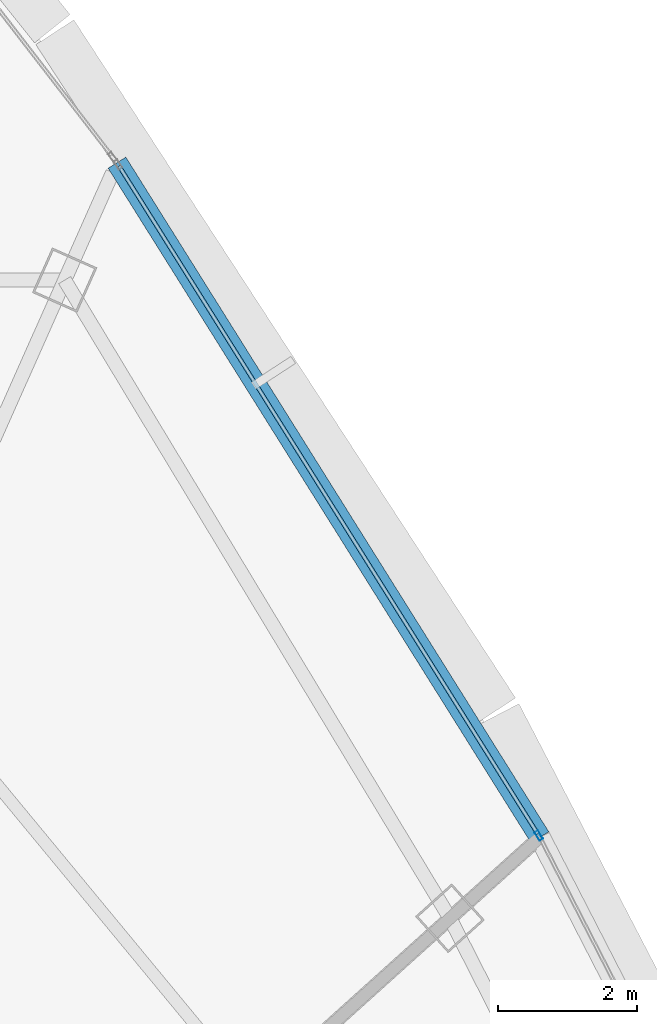
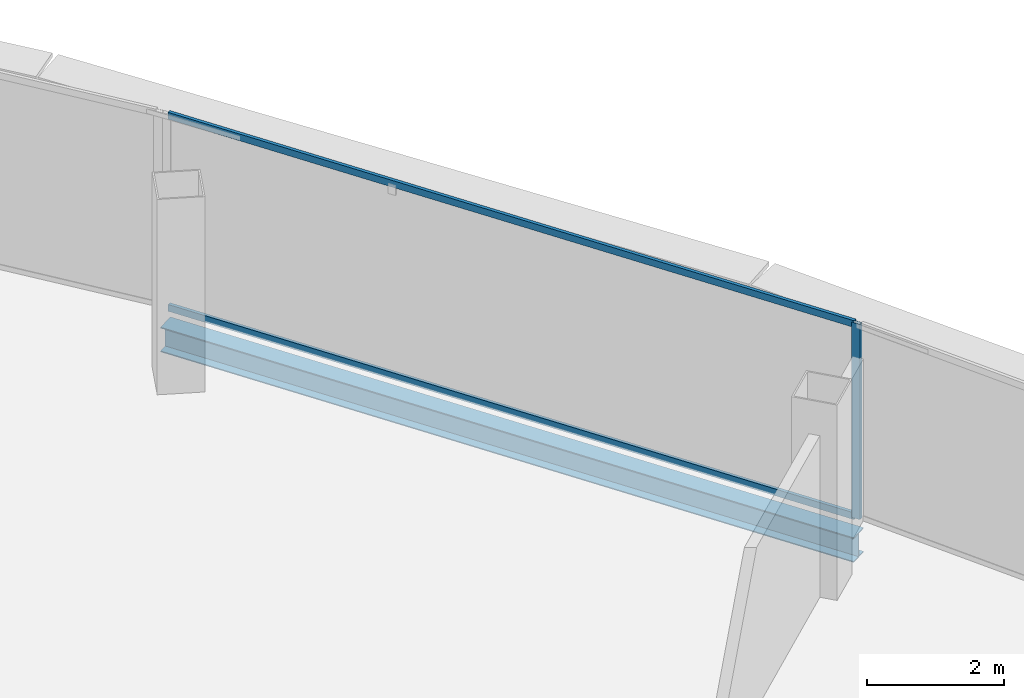
# One storey, part 14 of 29: 3 members, 1 beam, 1 element without a shape of its own.
"""IFC4 building model written with IfcOpenShell, lengths in metres."""

from ifc_helpers import new_model, si_unit, direction, frame, origin, origin_2d, place, context, subcontext, project, spatial, hollow_rectangle, i_section, extrude, source, transform, mapped, material, layer, layer_set, material_profile, profile_set, type_object, element, aggregate, save


model = new_model("IFC4")

# Units and contexts
model_context = context("Model", 3, precision=1e-05, world=origin(), true_north=direction((0.0, 1.0)))
body_context = subcontext(model_context, "Body", "Model", "MODEL_VIEW")
ifc_project = project(units=[si_unit("LENGTHUNIT", "METRE"), si_unit("AREAUNIT", "SQUARE_METRE"), si_unit("VOLUMEUNIT", "CUBIC_METRE"), si_unit("PLANEANGLEUNIT", "RADIAN"), si_unit("MASSUNIT", "GRAM", prefix="KILO"), si_unit("THERMODYNAMICTEMPERATUREUNIT", "KELVIN"), si_unit("POWERUNIT", "WATT")], contexts=[model_context])

# Site, building, storey
site_placement = place(None, origin())
site = spatial("IfcSite", under=ifc_project, at=site_placement, CompositionType="ELEMENT")
building_placement = place(site_placement, origin())
building = spatial("IfcBuilding", under=site, at=building_placement, Name="Yunzhuo Pagoda Commons", CompositionType="ELEMENT")
storey_placement = place(building_placement, frame((0.0, 0.0, 363.010009765625)))
storey = spatial("IfcBuildingStorey", under=building, at=storey_placement, Name="L91", CompositionType="ELEMENT", Elevation=363.010009765625)

# Beam
ifc_material_1 = material(Name="Structural steel Q355B", Category="steel")
ifc_material_profile_1 = material_profile(ifc_material_1, i_section(OverallWidth=0.300048828125, OverallDepth=0.43994140625, WebThickness=0.010986328125, FlangeThickness=0.01806640625, at=origin_2d()), Name="Structural steel Q355B")
ifc_profile_set_1 = profile_set([ifc_material_profile_1], Name="Structural steel Q355B")
beam_type = type_object("IfcBeamType", Name="B-SP2 Beam HM 440x300x11x18", PredefinedType="BEAM", material=ifc_profile_set_1)
shared_shape_1 = source(origin(), body_context, "Body", "SweptSolid", [
    extrude(i_section(OverallWidth=0.300048828125, OverallDepth=0.43994140625, WebThickness=0.010986328125, FlangeThickness=0.01806640625, at=origin_2d()), origin(), (0.0, 0.0, 1.0), 11.419677734375),
])
beam_placement = place(storey_placement, frame((65.314697265625, 49.2900390625, -0.47998046875), z_axis=(-0.53116107474, 0.847270861461, 0.0), x_axis=(-0.847270861461, -0.53116107474, 0.0)))
element("IfcBeam", 1, at=beam_placement, inside=storey, type_object=beam_type, Name="L91 facade edge spandrel beam F2.3", PredefinedType="BEAM", context=body_context, shape_type="MappedRepresentation", body=[
    mapped(shared_shape_1, transform((0.0, 0.0, 0.0), scale=1.0)),
])

# Curtain wall, members
ifc_material_2 = material(Name="Anodized aluminium 6063-T6", Category="aluminium")
ifc_layer = layer(ifc_material_2, 0.139892578125)
ifc_layer_set = layer_set([ifc_layer], Name="Anodized aluminium 6063-T6")
curtain_wall_type = type_object("IfcCurtainWallType", Name="CW-HI High-Zone Ribbon Curtain Wall", PredefinedType="NOTDEFINED", material=ifc_layer_set)
curtain_wall_placement = place(storey_placement, origin())
curtain_wall = element("IfcCurtainWall", 2, at=curtain_wall_placement, inside=storey, type_object=curtain_wall_type, Name="L91 curtain wall CW-L91-F2B4", PredefinedType="NOTDEFINED")
ifc_material_profile_2 = material_profile(ifc_material_2, hollow_rectangle(XDim=0.06005859375, YDim=0.139892578125, WallThickness=0.00341796875, at=origin_2d()), Name="Anodized aluminium 6063-T6")
ifc_profile_set_2 = profile_set([ifc_material_profile_2], Name="Anodized aluminium 6063-T6")
member_type_1 = type_object("IfcMemberType", Name="CW-HI-M Mullion RHS 140x60x3.5", PredefinedType="MULLION", material=ifc_profile_set_2)
shared_shape_2 = source(origin(), body_context, "Body", "SweptSolid", [
    extrude(hollow_rectangle(XDim=0.06005859375, YDim=0.139892578125, WallThickness=0.00341796875, at=origin_2d()), origin(), (0.0, 0.0, 1.0), 3.47021484375),
])
member_1_placement = place(storey_placement, frame((65.298583984375, 49.3154296875, 0.0), z_axis=(0.0, 0.0, 1.0), x_axis=(-0.847272854146, -0.531157896135, 0.0)))
member_1 = element("IfcMember", 3, at=member_1_placement, type_object=member_type_1, Name="CW mullion 1", PredefinedType="MULLION", context=body_context, shape_type="MappedRepresentation", body=[
    mapped(shared_shape_2, transform((0.0, 0.0, 0.0), scale=1.0)),
])
ifc_material_profile_3 = material_profile(ifc_material_2, hollow_rectangle(XDim=0.054931640625, YDim=0.1201171875, WallThickness=0.00341796875, at=origin_2d()), Name="Anodized aluminium 6063-T6")
ifc_profile_set_3 = profile_set([ifc_material_profile_3], Name="Anodized aluminium 6063-T6")
member_type_2 = type_object("IfcMemberType", Name="CW-HI-T Transom RHS 120x55x3.5", PredefinedType="USERDEFINED", material=ifc_profile_set_3)
shared_shape_3 = source(origin(), body_context, "Body", "SweptSolid", [
    extrude(hollow_rectangle(XDim=0.054931640625, YDim=0.1201171875, WallThickness=0.00341796875, at=origin_2d()), origin(), (0.0, 0.0, 1.0), 11.2998046875),
])
member_2_placement = place(storey_placement, frame((65.28271484375, 49.3408203125, 0.027587890625), z_axis=(-0.531157876903, 0.847272866203, 0.0), x_axis=(-0.847272866203, -0.531157876903, 0.0)))
member_2 = element("IfcMember", 4, at=member_2_placement, type_object=member_type_2, Name="CW transom 1.1", ObjectType="TRANSOM", PredefinedType="USERDEFINED", context=body_context, shape_type="MappedRepresentation", body=[
    mapped(shared_shape_3, transform((0.0, 0.0, 0.0), scale=1.0)),
])
member_3_placement = place(storey_placement, frame((65.28271484375, 49.3408203125, 3.4423828125), z_axis=(-0.531157876903, 0.847272866203, 0.0), x_axis=(-0.847272866203, -0.531157876903, 0.0)))
member_3 = element("IfcMember", 5, at=member_3_placement, type_object=member_type_2, Name="CW transom 1.2", ObjectType="TRANSOM", PredefinedType="USERDEFINED", context=body_context, shape_type="MappedRepresentation", body=[
    mapped(shared_shape_3, transform((0.0, 0.0, 0.0), scale=1.0)),
])
aggregate(curtain_wall, [member_1, member_2, member_3])

save(model, "model.ifc")
